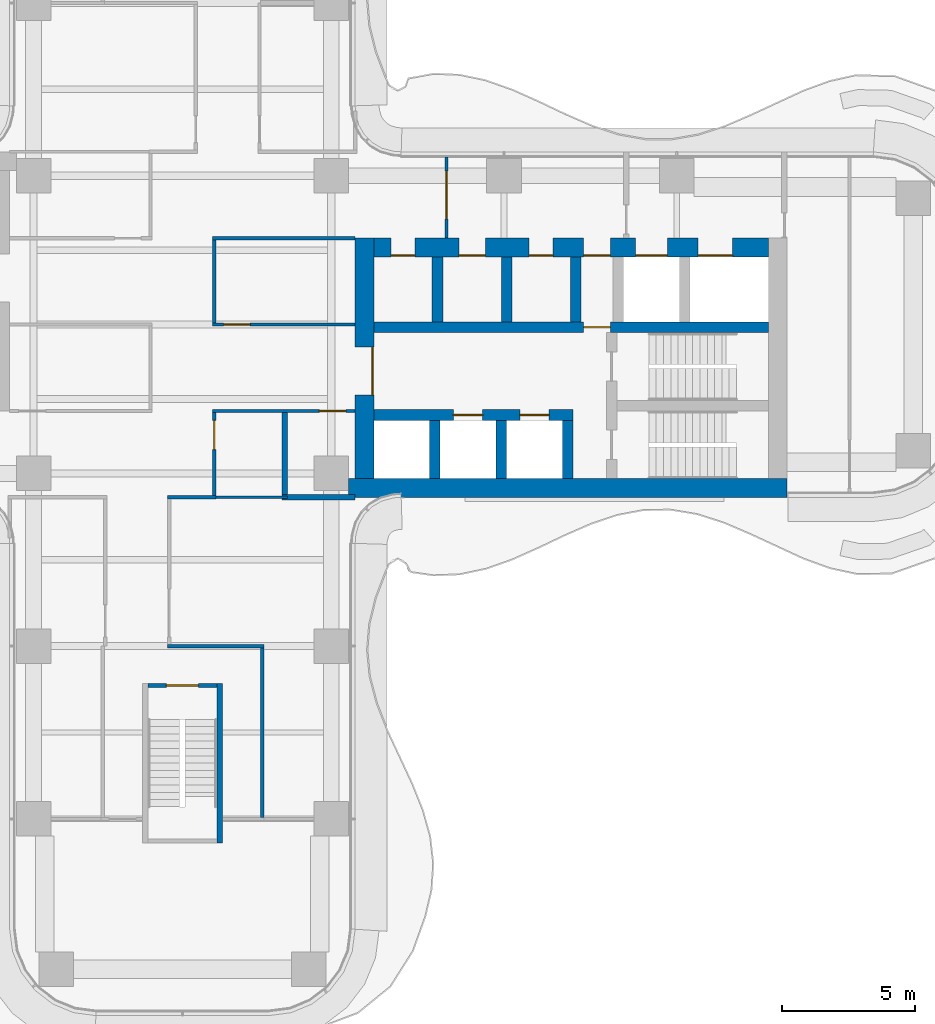
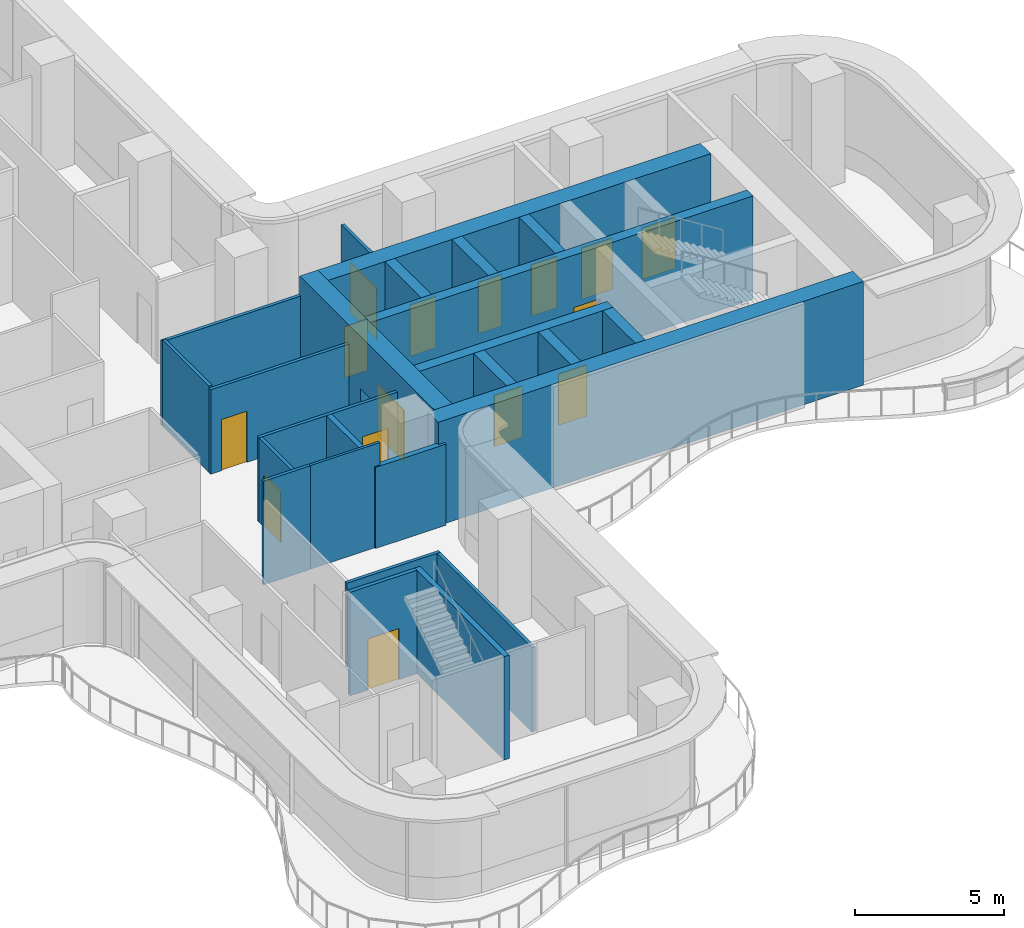
# One storey, part 16 of 20: 25 walls, 15 doors, 15 openings.
"""IFC4 building model written with IfcOpenShell, lengths in metres."""

from ifc_helpers import new_model, si_unit, direction, frame, frame_2d, origin, place, context, subcontext, project, spatial, rectangle, extrude, source, transform, mapped, material, layer, layer_set, type_object, element, fill, save


model = new_model("IFC4")

# Units and contexts
model_context = context("Model", 3, precision=1e-05, world=origin(), true_north=direction((0.0, 1.0)))
body_context = subcontext(model_context, "Body", "Model", "MODEL_VIEW")
ifc_project = project(units=[si_unit("LENGTHUNIT", "METRE"), si_unit("AREAUNIT", "SQUARE_METRE"), si_unit("VOLUMEUNIT", "CUBIC_METRE"), si_unit("PLANEANGLEUNIT", "RADIAN"), si_unit("MASSUNIT", "GRAM", prefix="KILO")], contexts=[model_context])

# Site, building, storey
site_placement = place(None, origin())
site = spatial("IfcSite", under=ifc_project, at=site_placement, CompositionType="ELEMENT")
building_placement = place(site_placement, origin())
building = spatial("IfcBuilding", under=site, at=building_placement, Name="Trellis Farm Tower", CompositionType="ELEMENT")
storey_placement = place(building_placement, frame((0.0, 0.0, 133.5)))
storey = spatial("IfcBuildingStorey", under=building, at=storey_placement, Name="L28", CompositionType="ELEMENT", Elevation=133.5)

# Wall, opening, door
ifc_material_1 = material(Name="Concrete C70/85", Category="concrete")
ifc_layer_1 = layer(ifc_material_1, 0.699951171875)
ifc_layer_set_1 = layer_set([ifc_layer_1], Name="CORE OUTER WALL 700 CONCRETE C70/85")
wall_type_1 = type_object("IfcWallType", Name="CORE OUTER WALL 700 CONCRETE C70/85", PredefinedType="SHEAR", material=ifc_layer_set_1)
shared_shape_1 = source(origin(), body_context, "Body", "SweptSolid", [
    extrude(rectangle(XDim=9.050048828125, YDim=0.699951171875, at=frame_2d((4.52490234375, 0.0))), origin(), (0.0, 0.0, 1.0), 4.25),
])
wall_1_placement = place(storey_placement, frame((6.85009765625, -5.800048828125, 0.0), z_axis=(0.0, 0.0, 1.0), x_axis=(0.0, 1.0, 0.0)))
wall_1 = element("IfcWall", 1, at=wall_1_placement, inside=storey, type_object=wall_type_1, Name="Core wall", PredefinedType="SHEAR", context=body_context, shape_type="MappedRepresentation", body=[
    mapped(shared_shape_1, transform((0.0, 0.0, 0.0))),
])
shared_shape_2 = source(origin(), body_context, "Body", "SweptSolid", [
    extrude(rectangle(XDim=1.800048828125, YDim=2.10009765625, at=frame_2d((0.89990234375, 1.050048828125))), frame((0.0, 0.360107421875, 0.0), z_axis=(0.0, -1.0, 0.0), x_axis=(1.0, 0.0, 0.0)), (0.0, 0.0, 1.0), 0.72021484375),
])
opening_1_placement = place(wall_1_placement, frame((3.14990234375, 0.0, 0.0)))
opening_1 = element("IfcOpeningElement", 2, at=opening_1_placement, cuts=wall_1, Name="Opening DC1", PredefinedType="OPENING", context=body_context, shape_type="MappedRepresentation", body=[
    mapped(shared_shape_2, transform((0.0, 0.0, 0.0))),
])
ifc_material_2 = material(Name="Steel", Category="steel")
door_type_1 = type_object("IfcDoorType", Name="CORE FIRE DOOR DOUBLE 1800 X 2100", OperationType="DOUBLE_DOOR_SINGLE_SWING", PredefinedType="DOOR", material=ifc_material_2)
shared_shape_3 = source(origin(), body_context, "Body", "SweptSolid", [
    extrude(rectangle(XDim=1.800048828125, YDim=2.10009765625, at=frame_2d((0.89990234375, 1.050048828125))), frame((0.0, -0.27490234375, 0.0), z_axis=(0.0, -1.0, 0.0), x_axis=(1.0, 0.0, 0.0)), (0.0, 0.0, 1.0), 0.050048828125),
])
door_1_placement = place(opening_1_placement, origin())
door_1 = element("IfcDoor", 3, at=door_1_placement, inside=storey, type_object=door_type_1, Name="Core door", OperationType="DOUBLE_DOOR_SINGLE_SWING", OverallHeight=2.10009765625, OverallWidth=1.800048828125, PredefinedType="DOOR", context=body_context, shape_type="MappedRepresentation", body=[
    mapped(shared_shape_3, transform((0.0, 0.0, 0.0))),
])
fill(opening_1, door_1)

# Walls
ifc_layer_2 = layer(ifc_material_1, 0.39990234375)
ifc_layer_set_2 = layer_set([ifc_layer_2], Name="CORE INNER WALL 400 CONCRETE C70/85")
wall_type_2 = type_object("IfcWallType", Name="CORE INNER WALL 400 CONCRETE C70/85", PredefinedType="SHEAR", material=ifc_layer_set_2)
shared_shape_4 = source(origin(), body_context, "Body", "SweptSolid", [
    extrude(rectangle(XDim=2.199951171875, YDim=0.39990234375, at=frame_2d((1.10009765625, 0.0))), origin(), (0.0, 0.0, 1.0), 4.25),
])
for number, where, z_axis, x_axis, name in (
    (4, (9.5, -5.800048828125, 0.0), (0.0, 0.0, 1.0), (0.0, 1.0, 0.0), "Core wall"),
    (5, (12.0, -5.800048828125, 0.0), (0.0, 0.0, 1.0), (0.0, 1.0, 0.0), "Core wall"),
    (6, (14.5, -5.800048828125, 0.0), (0.0, 0.0, 1.0), (0.0, 1.0, 0.0), "Core wall"),
):
    element("IfcWall", number, at=place(storey_placement, frame(where, z_axis=z_axis, x_axis=x_axis)), inside=storey, type_object=wall_type_2, Name=name, PredefinedType="SHEAR", context=body_context, shape_type="MappedRepresentation", body=[
        mapped(shared_shape_4, transform((0.0, 0.0, 0.0))),
    ])
shared_shape_5 = source(origin(), body_context, "Body", "SweptSolid", [
    extrude(rectangle(XDim=2.449951171875, YDim=0.39990234375, at=frame_2d((1.22509765625, 0.0))), origin(), (0.0, 0.0, 1.0), 4.25),
])
for number, where, z_axis, x_axis, name in (
    (7, (9.60009765625, 0.10009765625, 0.0), (0.0, 0.0, 1.0), (0.0, 1.0, 0.0), "Core wall"),
    (8, (12.199951171875, 0.10009765625, 0.0), (0.0, 0.0, 1.0), (0.0, 1.0, 0.0), "Core wall"),
    (9, (14.800048828125, 0.10009765625, 0.0), (0.0, 0.0, 1.0), (0.0, 1.0, 0.0), "Core wall"),
):
    element("IfcWall", number, at=place(storey_placement, frame(where, z_axis=z_axis, x_axis=x_axis)), inside=storey, type_object=wall_type_2, Name=name, PredefinedType="SHEAR", context=body_context, shape_type="MappedRepresentation", body=[
        mapped(shared_shape_5, transform((0.0, 0.0, 0.0))),
    ])

# Wall, openings, doors
shared_shape_6 = source(origin(), body_context, "Body", "SweptSolid", [
    extrude(rectangle(XDim=14.85009765625, YDim=0.699951171875, at=frame_2d((7.425048828125, 0.0))), origin(), (0.0, 0.0, 1.0), 4.25),
])
wall_2_placement = place(storey_placement, frame((7.199951171875, 2.89990234375, 0.0), z_axis=(0.0, 0.0, 1.0), x_axis=(1.0, 0.0, 0.0)))
wall_2 = element("IfcWall", 10, at=wall_2_placement, inside=storey, type_object=wall_type_1, Name="Core wall", PredefinedType="SHEAR", context=body_context, shape_type="MappedRepresentation", body=[
    mapped(shared_shape_6, transform((0.0, 0.0, 0.0))),
])
shared_shape_7 = source(origin(), body_context, "Body", "SweptSolid", [
    extrude(rectangle(XDim=1.300048828125, YDim=2.10009765625, at=frame_2d((0.64990234375, 1.050048828125))), frame((0.0, 0.360107421875, 0.0), z_axis=(0.0, -1.0, 0.0), x_axis=(1.0, 0.0, 0.0)), (0.0, 0.0, 1.0), 0.72021484375),
])
opening_2_placement = place(wall_2_placement, frame((12.199951171875, 0.0, 0.0)))
opening_2 = element("IfcOpeningElement", 11, at=opening_2_placement, cuts=wall_2, Name="Opening LD7", PredefinedType="OPENING", context=body_context, shape_type="MappedRepresentation", body=[
    mapped(shared_shape_7, transform((0.0, 0.0, 0.0))),
])
shared_shape_8 = source(origin(), body_context, "Body", "SweptSolid", [
    extrude(rectangle(XDim=1.199951171875, YDim=2.10009765625, at=frame_2d((0.60009765625, 1.050048828125))), frame((0.0, 0.360107421875, 0.0), z_axis=(0.0, -1.0, 0.0), x_axis=(1.0, 0.0, 0.0)), (0.0, 0.0, 1.0), 0.72021484375),
])
opening_3_placement = place(wall_2_placement, frame((9.85009765625, 0.0, 0.0)))
opening_3 = element("IfcOpeningElement", 12, at=opening_3_placement, cuts=wall_2, Name="Opening LD8", PredefinedType="OPENING", context=body_context, shape_type="MappedRepresentation", body=[
    mapped(shared_shape_8, transform((0.0, 0.0, 0.0))),
])
shared_shape_9 = source(origin(), body_context, "Body", "SweptSolid", [
    extrude(rectangle(XDim=1.0, YDim=2.10009765625, at=frame_2d((0.5, 1.050048828125))), frame((0.0, 0.360107421875, 0.0), z_axis=(0.0, -1.0, 0.0), x_axis=(1.0, 0.0, 0.0)), (0.0, 0.0, 1.0), 0.72021484375),
])
opening_4_placement = place(wall_2_placement, frame((7.89990234375, 0.0, 0.0)))
opening_4 = element("IfcOpeningElement", 13, at=opening_4_placement, cuts=wall_2, Name="Opening DC6", PredefinedType="OPENING", context=body_context, shape_type="MappedRepresentation", body=[
    mapped(shared_shape_9, transform((0.0, 0.0, 0.0))),
])
shared_shape_10 = source(origin(), body_context, "Body", "SweptSolid", [
    extrude(rectangle(XDim=0.89990234375, YDim=2.10009765625, at=frame_2d((0.449951171875, 1.050048828125))), frame((0.0, 0.360107421875, 0.0), z_axis=(0.0, -1.0, 0.0), x_axis=(1.0, 0.0, 0.0)), (0.0, 0.0, 1.0), 0.72021484375),
])
opening_5_placement = place(wall_2_placement, frame((0.64990234375, 0.0, 0.0)))
opening_5 = element("IfcOpeningElement", 14, at=opening_5_placement, cuts=wall_2, Name="Opening DC11", PredefinedType="OPENING", context=body_context, shape_type="MappedRepresentation", body=[
    mapped(shared_shape_10, transform((0.0, 0.0, 0.0))),
])
opening_6_placement = place(wall_2_placement, frame((3.199951171875, 0.0, 0.0)))
opening_6 = element("IfcOpeningElement", 15, at=opening_6_placement, cuts=wall_2, Name="Opening DC26", PredefinedType="OPENING", context=body_context, shape_type="MappedRepresentation", body=[
    mapped(shared_shape_9, transform((0.0, 0.0, 0.0))),
])
opening_7_placement = place(wall_2_placement, frame((5.85009765625, 0.0, 0.0)))
opening_7 = element("IfcOpeningElement", 16, at=opening_7_placement, cuts=wall_2, Name="Opening DC35", PredefinedType="OPENING", context=body_context, shape_type="MappedRepresentation", body=[
    mapped(shared_shape_10, transform((0.0, 0.0, 0.0))),
])
door_type_2 = type_object("IfcDoorType", Name="CORE FIRE DOOR 1000 X 2100", OperationType="NOTDEFINED", PredefinedType="DOOR", material=ifc_material_2)
shared_shape_11 = source(origin(), body_context, "Body", "SweptSolid", [
    extrude(rectangle(XDim=1.0, YDim=2.10009765625, at=frame_2d((0.5, 1.050048828125))), frame((0.0, -0.27490234375, 0.0), z_axis=(0.0, -1.0, 0.0), x_axis=(1.0, 0.0, 0.0)), (0.0, 0.0, 1.0), 0.050048828125),
])
door_2_placement = place(opening_4_placement, origin())
door_2 = element("IfcDoor", 17, at=door_2_placement, inside=storey, type_object=door_type_2, Name="Core door", OperationType="SINGLE_SWING_LEFT", OverallHeight=2.10009765625, OverallWidth=1.0, PredefinedType="DOOR", context=body_context, shape_type="MappedRepresentation", body=[
    mapped(shared_shape_11, transform((0.0, 0.0, 0.0))),
])
fill(opening_4, door_2)
door_3_placement = place(opening_6_placement, origin())
door_3 = element("IfcDoor", 18, at=door_3_placement, inside=storey, type_object=door_type_2, Name="Core door", OperationType="SINGLE_SWING_RIGHT", OverallHeight=2.10009765625, OverallWidth=1.0, PredefinedType="DOOR", context=body_context, shape_type="MappedRepresentation", body=[
    mapped(shared_shape_11, transform((0.0, 0.0, 0.0))),
])
fill(opening_6, door_3)
door_type_3 = type_object("IfcDoorType", Name="CORE FIRE DOOR 900 X 2100", OperationType="NOTDEFINED", PredefinedType="DOOR", material=ifc_material_2)
shared_shape_12 = source(origin(), body_context, "Body", "SweptSolid", [
    extrude(rectangle(XDim=0.89990234375, YDim=2.10009765625, at=frame_2d((0.449951171875, 1.050048828125))), frame((0.0, -0.27490234375, 0.0), z_axis=(0.0, -1.0, 0.0), x_axis=(1.0, 0.0, 0.0)), (0.0, 0.0, 1.0), 0.050048828125),
])
door_4_placement = place(opening_5_placement, origin())
door_4 = element("IfcDoor", 19, at=door_4_placement, inside=storey, type_object=door_type_3, Name="Core door", OperationType="SINGLE_SWING_LEFT", OverallHeight=2.10009765625, OverallWidth=0.89990234375, PredefinedType="DOOR", context=body_context, shape_type="MappedRepresentation", body=[
    mapped(shared_shape_12, transform((0.0, 0.0, 0.0))),
])
fill(opening_5, door_4)
door_5_placement = place(opening_7_placement, origin())
door_5 = element("IfcDoor", 20, at=door_5_placement, inside=storey, type_object=door_type_3, Name="Core door", OperationType="SINGLE_SWING_LEFT", OverallHeight=2.10009765625, OverallWidth=0.89990234375, PredefinedType="DOOR", context=body_context, shape_type="MappedRepresentation", body=[
    mapped(shared_shape_12, transform((0.0, 0.0, 0.0))),
])
fill(opening_7, door_5)
ifc_material_3 = material(Name="Stainless steel", Category="steel")
door_type_4 = type_object("IfcDoorType", Name="LIFT LANDING DOOR 1300 X 2100", OperationType="DOUBLE_DOOR_SLIDING", PredefinedType="DOOR", material=ifc_material_3)
shared_shape_13 = source(origin(), body_context, "Body", "SweptSolid", [
    extrude(rectangle(XDim=1.300048828125, YDim=2.10009765625, at=frame_2d((0.64990234375, 1.050048828125))), frame((0.0, -0.27490234375, 0.0), z_axis=(0.0, -1.0, 0.0), x_axis=(1.0, 0.0, 0.0)), (0.0, 0.0, 1.0), 0.050048828125),
])
door_6_placement = place(opening_2_placement, origin())
door_6 = element("IfcDoor", 21, at=door_6_placement, inside=storey, type_object=door_type_4, Name="Lift landing door", OperationType="DOUBLE_DOOR_SLIDING", OverallHeight=2.10009765625, OverallWidth=1.300048828125, PredefinedType="DOOR", context=body_context, shape_type="MappedRepresentation", body=[
    mapped(shared_shape_13, transform((0.0, 0.0, 0.0))),
])
fill(opening_2, door_6)
door_type_5 = type_object("IfcDoorType", Name="LIFT LANDING DOOR 1200 X 2100", OperationType="DOUBLE_DOOR_SLIDING", PredefinedType="DOOR", material=ifc_material_3)
shared_shape_14 = source(origin(), body_context, "Body", "SweptSolid", [
    extrude(rectangle(XDim=1.199951171875, YDim=2.10009765625, at=frame_2d((0.60009765625, 1.050048828125))), frame((0.0, -0.27490234375, 0.0), z_axis=(0.0, -1.0, 0.0), x_axis=(1.0, 0.0, 0.0)), (0.0, 0.0, 1.0), 0.050048828125),
])
door_7_placement = place(opening_3_placement, origin())
door_7 = element("IfcDoor", 22, at=door_7_placement, inside=storey, type_object=door_type_5, Name="Lift landing door", OperationType="DOUBLE_DOOR_SLIDING", OverallHeight=2.10009765625, OverallWidth=1.199951171875, PredefinedType="DOOR", context=body_context, shape_type="MappedRepresentation", body=[
    mapped(shared_shape_14, transform((0.0, 0.0, 0.0))),
])
fill(opening_3, door_7)

shared_shape_15 = source(origin(), body_context, "Body", "SweptSolid", [
    extrude(rectangle(XDim=7.5, YDim=0.39990234375, at=frame_2d((3.75, 0.0))), origin(), (0.0, 0.0, 1.0), 4.25),
])
wall_3_placement = place(storey_placement, frame((7.199951171875, -3.39990234375, 0.0), z_axis=(0.0, 0.0, 1.0), x_axis=(1.0, 0.0, 0.0)))
wall_3 = element("IfcWall", 23, at=wall_3_placement, inside=storey, type_object=wall_type_2, Name="Core wall", PredefinedType="SHEAR", context=body_context, shape_type="MappedRepresentation", body=[
    mapped(shared_shape_15, transform((0.0, 0.0, 0.0))),
])
shared_shape_16 = source(origin(), body_context, "Body", "SweptSolid", [
    extrude(rectangle(XDim=1.10009765625, YDim=2.10009765625, at=frame_2d((0.550048828125, 1.050048828125))), frame((0.0, 0.2099609375, 0.0), z_axis=(0.0, -1.0, 0.0), x_axis=(1.0, 0.0, 0.0)), (0.0, 0.0, 1.0), 0.419921875),
])
opening_8_placement = place(wall_3_placement, frame((3.0, 0.0, 0.0)))
opening_8 = element("IfcOpeningElement", 24, at=opening_8_placement, cuts=wall_3, Name="Opening LD2", PredefinedType="OPENING", context=body_context, shape_type="MappedRepresentation", body=[
    mapped(shared_shape_16, transform((0.0, 0.0, 0.0))),
])
opening_9_placement = place(wall_3_placement, frame((5.5, 0.0, 0.0)))
opening_9 = element("IfcOpeningElement", 25, at=opening_9_placement, cuts=wall_3, Name="Opening LD3", PredefinedType="OPENING", context=body_context, shape_type="MappedRepresentation", body=[
    mapped(shared_shape_16, transform((0.0, 0.0, 0.0))),
])
door_type_6 = type_object("IfcDoorType", Name="LIFT LANDING DOOR 1100 X 2100", OperationType="DOUBLE_DOOR_SLIDING", PredefinedType="DOOR", material=ifc_material_3)
shared_shape_17 = source(origin(), body_context, "Body", "SweptSolid", [
    extrude(rectangle(XDim=1.10009765625, YDim=2.10009765625, at=frame_2d((0.550048828125, 1.050048828125))), frame((0.0, 0.02490234375, 0.0), z_axis=(0.0, -1.0, 0.0), x_axis=(1.0, 0.0, 0.0)), (0.0, 0.0, 1.0), 0.050048828125),
])
door_8_placement = place(opening_8_placement, origin())
door_8 = element("IfcDoor", 26, at=door_8_placement, inside=storey, type_object=door_type_6, Name="Lift landing door", OperationType="DOUBLE_DOOR_SLIDING", OverallHeight=2.10009765625, OverallWidth=1.10009765625, PredefinedType="DOOR", context=body_context, shape_type="MappedRepresentation", body=[
    mapped(shared_shape_17, transform((0.0, 0.0, 0.0))),
])
fill(opening_8, door_8)
door_9_placement = place(opening_9_placement, origin())
door_9 = element("IfcDoor", 27, at=door_9_placement, inside=storey, type_object=door_type_6, Name="Lift landing door", OperationType="DOUBLE_DOOR_SLIDING", OverallHeight=2.10009765625, OverallWidth=1.10009765625, PredefinedType="DOOR", context=body_context, shape_type="MappedRepresentation", body=[
    mapped(shared_shape_17, transform((0.0, 0.0, 0.0))),
])
fill(opening_9, door_9)

# Wall, opening, door
shared_shape_18 = source(origin(), body_context, "Body", "SweptSolid", [
    extrude(rectangle(XDim=14.85009765625, YDim=0.39990234375, at=frame_2d((7.425048828125, 0.0))), origin(), (0.0, 0.0, 1.0), 4.25),
])
wall_4_placement = place(storey_placement, frame((7.199951171875, -0.10009765625, 0.0), z_axis=(0.0, 0.0, 1.0), x_axis=(1.0, 0.0, 0.0)))
wall_4 = element("IfcWall", 28, at=wall_4_placement, inside=storey, type_object=wall_type_2, Name="Core wall", PredefinedType="SHEAR", context=body_context, shape_type="MappedRepresentation", body=[
    mapped(shared_shape_18, transform((0.0, 0.0, 0.0))),
])
shared_shape_19 = source(origin(), body_context, "Body", "SweptSolid", [
    extrude(rectangle(XDim=1.0, YDim=2.10009765625, at=frame_2d((0.5, 1.050048828125))), frame((0.0, 0.2099609375, 0.0), z_axis=(0.0, -1.0, 0.0), x_axis=(1.0, 0.0, 0.0)), (0.0, 0.0, 1.0), 0.419921875),
])
opening_10_placement = place(wall_4_placement, frame((7.89990234375, 0.0, 0.0)))
opening_10 = element("IfcOpeningElement", 29, at=opening_10_placement, cuts=wall_4, Name="Opening DC5", PredefinedType="OPENING", context=body_context, shape_type="MappedRepresentation", body=[
    mapped(shared_shape_19, transform((0.0, 0.0, 0.0))),
])
shared_shape_20 = source(origin(), body_context, "Body", "SweptSolid", [
    extrude(rectangle(XDim=1.0, YDim=2.10009765625, at=frame_2d((0.5, 1.050048828125))), frame((0.0, 0.02490234375, 0.0), z_axis=(0.0, -1.0, 0.0), x_axis=(1.0, 0.0, 0.0)), (0.0, 0.0, 1.0), 0.050048828125),
])
door_10_placement = place(opening_10_placement, origin())
door_10 = element("IfcDoor", 30, at=door_10_placement, inside=storey, type_object=door_type_2, Name="Core door", OperationType="SINGLE_SWING_RIGHT", OverallHeight=2.10009765625, OverallWidth=1.0, PredefinedType="DOOR", context=body_context, shape_type="MappedRepresentation", body=[
    mapped(shared_shape_20, transform((0.0, 0.0, 0.0))),
])
fill(opening_10, door_10)

# Walls
shared_shape_21 = source(origin(), body_context, "Body", "SweptSolid", [
    extrude(rectangle(XDim=16.5, YDim=0.699951171875, at=frame_2d((8.25, 0.0))), origin(), (0.0, 0.0, 1.0), 4.25),
])
wall_5_placement = place(storey_placement, frame((6.25, -6.14990234375, 0.0), z_axis=(0.0, 0.0, 1.0), x_axis=(1.0, 0.0, 0.0)))
element("IfcWall", 31, at=wall_5_placement, inside=storey, type_object=wall_type_1, Name="Core wall", PredefinedType="SHEAR", context=body_context, shape_type="MappedRepresentation", body=[
    mapped(shared_shape_21, transform((0.0, 0.0, 0.0))),
])
ifc_layer_3 = layer(ifc_material_1, 0.199951171875)
ifc_layer_set_3 = layer_set([ifc_layer_3], Name="CORE STAIR ENCLOSURE WALL 200 CONCRETE C70/85")
wall_type_3 = type_object("IfcWallType", Name="CORE STAIR ENCLOSURE WALL 200 CONCRETE C70/85", PredefinedType="SHEAR", material=ifc_layer_set_3)
shared_shape_22 = source(origin(), body_context, "Body", "SweptSolid", [
    extrude(rectangle(XDim=6.0, YDim=0.199951171875, at=frame_2d((3.0, 0.0))), origin(), (0.0, 0.0, 1.0), 4.25),
])
wall_6_placement = place(storey_placement, frame((1.39990234375, -13.5, 0.0), z_axis=(0.0, 0.0, 1.0), x_axis=(0.0, -1.0, 0.0)))
element("IfcWall", 32, at=wall_6_placement, inside=storey, type_object=wall_type_3, Name="Stair enclosure wall", PredefinedType="SHEAR", context=body_context, shape_type="MappedRepresentation", body=[
    mapped(shared_shape_22, transform((0.0, 0.0, 0.0))),
])

# Wall, opening, door
ifc_layer_4 = layer(ifc_material_1, 0.14990234375)
ifc_layer_set_4 = layer_set([ifc_layer_4], Name="CORE STAIR ENCLOSURE WALL 150 CONCRETE C70/85")
wall_type_4 = type_object("IfcWallType", Name="CORE STAIR ENCLOSURE WALL 150 CONCRETE C70/85", PredefinedType="SHEAR", material=ifc_layer_set_4)
shared_shape_23 = source(origin(), body_context, "Body", "SweptSolid", [
    extrude(rectangle(XDim=2.60009765625, YDim=0.14990234375, at=frame_2d((1.300048828125, 0.0))), origin(), (0.0, 0.0, 1.0), 4.25),
])
wall_7_placement = place(storey_placement, frame((1.300048828125, -13.574951171875, 0.0), z_axis=(0.0, 0.0, 1.0), x_axis=(-1.0, 0.0, 0.0)))
wall_7 = element("IfcWall", 33, at=wall_7_placement, inside=storey, type_object=wall_type_4, Name="Stair enclosure wall", PredefinedType="SHEAR", context=body_context, shape_type="MappedRepresentation", body=[
    mapped(shared_shape_23, transform((0.0, 0.0, 0.0))),
])
shared_shape_24 = source(origin(), body_context, "Body", "SweptSolid", [
    extrude(rectangle(XDim=1.199951171875, YDim=2.10009765625, at=frame_2d((0.60009765625, 1.050048828125))), frame((0.0, 0.0849609375, 0.0), z_axis=(0.0, -1.0, 0.0), x_axis=(1.0, 0.0, 0.0)), (0.0, 0.0, 1.0), 0.169921875),
])
opening_11_placement = place(wall_7_placement, frame((0.699951171875, 0.0, 0.0)))
opening_11 = element("IfcOpeningElement", 34, at=opening_11_placement, cuts=wall_7, Name="Opening DC174", PredefinedType="OPENING", context=body_context, shape_type="MappedRepresentation", body=[
    mapped(shared_shape_24, transform((0.0, 0.0, 0.0))),
])
door_type_7 = type_object("IfcDoorType", Name="CORE FIRE DOOR 1200 X 2100", OperationType="NOTDEFINED", PredefinedType="DOOR", material=ifc_material_2)
shared_shape_25 = source(origin(), body_context, "Body", "SweptSolid", [
    extrude(rectangle(XDim=1.199951171875, YDim=2.10009765625, at=frame_2d((0.60009765625, 1.050048828125))), frame((0.0, 0.02490234375, 0.0), z_axis=(0.0, -1.0, 0.0), x_axis=(1.0, 0.0, 0.0)), (0.0, 0.0, 1.0), 0.050048828125),
])
door_11_placement = place(opening_11_placement, origin())
door_11 = element("IfcDoor", 35, at=door_11_placement, inside=storey, type_object=door_type_7, Name="Core door", OperationType="SINGLE_SWING_RIGHT", OverallHeight=2.10009765625, OverallWidth=1.199951171875, PredefinedType="DOOR", context=body_context, shape_type="MappedRepresentation", body=[
    mapped(shared_shape_25, transform((0.0, 0.0, 0.0))),
])
fill(opening_11, door_11)

# Wall
ifc_material_4 = material(Name="Plasterboard on steel studs, mineral wool", Category="steel")
ifc_layer_5 = layer(ifc_material_4, 0.125)
ifc_layer_set_5 = layer_set([ifc_layer_5], Name="PARTITION 125 STUD EI 60")
wall_type_5 = type_object("IfcWallType", Name="PARTITION 125 STUD EI 60", PredefinedType="PARTITIONING", material=ifc_layer_set_5)
shared_shape_26 = source(origin(), body_context, "Body", "SweptSolid", [
    extrude(rectangle(XDim=3.125, YDim=0.125, at=frame_2d((1.5625, 0.0))), origin(), (0.0, 0.0, 1.0), 3.54638671875),
])
wall_8_placement = place(storey_placement, frame((1.199951171875, 3.1875, 0.0), z_axis=(0.0, 0.0, 1.0), x_axis=(0.0, -1.0, 0.0)))
element("IfcWall", 36, at=wall_8_placement, inside=storey, type_object=wall_type_5, Name="Partition PW1", PredefinedType="PARTITIONING", context=body_context, shape_type="MappedRepresentation", body=[
    mapped(shared_shape_26, transform((0.0, 0.0, 0.0))),
])

# Wall, opening, door
shared_shape_27 = source(origin(), body_context, "Body", "SweptSolid", [
    extrude(rectangle(XDim=5.362548828125, YDim=0.125, at=frame_2d((2.68115234375, 0.0))), origin(), (0.0, 0.0, 1.0), 3.4677734375),
])
wall_9_placement = place(storey_placement, frame((6.5, -3.25, 0.0), z_axis=(0.0, 0.0, 1.0), x_axis=(-1.0, 0.0, 0.0)))
wall_9 = element("IfcWall", 37, at=wall_9_placement, inside=storey, type_object=wall_type_5, Name="Partition PW1", PredefinedType="PARTITIONING", context=body_context, shape_type="MappedRepresentation", body=[
    mapped(shared_shape_27, transform((0.0, 0.0, 0.0))),
])
shared_shape_28 = source(origin(), body_context, "Body", "SweptSolid", [
    extrude(rectangle(XDim=1.0, YDim=2.10009765625, at=frame_2d((0.5, 1.050048828125))), frame((0.0, 0.072509765625, 0.0), z_axis=(0.0, -1.0, 0.0), x_axis=(1.0, 0.0, 0.0)), (0.0, 0.0, 1.0), 0.14501953125),
])
opening_12_placement = place(wall_9_placement, frame((0.35009765625, 0.0, 0.0)))
opening_12 = element("IfcOpeningElement", 38, at=opening_12_placement, cuts=wall_9, Name="Opening D301", PredefinedType="OPENING", context=body_context, shape_type="MappedRepresentation", body=[
    mapped(shared_shape_28, transform((0.0, 0.0, 0.0))),
])
ifc_material_5 = material(Name="Fire-rated timber door leaf in a hollow metal frame", Category="wood")
door_type_8 = type_object("IfcDoorType", Name="DOOR 1000x2100 FD60", OperationType="NOTDEFINED", PredefinedType="DOOR", material=ifc_material_5)
door_12_placement = place(opening_12_placement, origin())
door_12 = element("IfcDoor", 39, at=door_12_placement, inside=storey, type_object=door_type_8, Name="Door D301", OperationType="SINGLE_SWING_LEFT", OverallHeight=2.10009765625, OverallWidth=1.0, PredefinedType="DOOR", context=body_context, shape_type="MappedRepresentation", body=[
    mapped(shared_shape_20, transform((0.0, 0.0, 0.0))),
])
fill(opening_12, door_12)

wall_10_placement = place(storey_placement, frame((6.5, 0.0, 0.0), z_axis=(0.0, 0.0, 1.0), x_axis=(-1.0, 0.0, 0.0)))
wall_10 = element("IfcWall", 40, at=wall_10_placement, inside=storey, type_object=wall_type_5, Name="Partition PW1", PredefinedType="PARTITIONING", context=body_context, shape_type="MappedRepresentation", body=[
    mapped(shared_shape_27, transform((0.0, 0.0, 0.0))),
])
opening_13_placement = place(wall_10_placement, frame((3.949951171875, 0.0, 0.0)))
opening_13 = element("IfcOpeningElement", 41, at=opening_13_placement, cuts=wall_10, Name="Opening D104", PredefinedType="OPENING", context=body_context, shape_type="MappedRepresentation", body=[
    mapped(shared_shape_28, transform((0.0, 0.0, 0.0))),
])
door_type_9 = type_object("IfcDoorType", Name="DOOR 1000x2100 FD30S", OperationType="NOTDEFINED", PredefinedType="DOOR", material=ifc_material_5)
door_13_placement = place(opening_13_placement, origin())
door_13 = element("IfcDoor", 42, at=door_13_placement, inside=storey, type_object=door_type_9, Name="Door D104", OperationType="SINGLE_SWING_RIGHT", OverallHeight=2.10009765625, OverallWidth=1.0, PredefinedType="DOOR", context=body_context, shape_type="MappedRepresentation", body=[
    mapped(shared_shape_20, transform((0.0, 0.0, 0.0))),
])
fill(opening_13, door_13)

# Wall
wall_11_placement = place(storey_placement, frame((1.137451171875, 3.25, 0.0), z_axis=(0.0, 0.0, 1.0), x_axis=(1.0, 0.0, 0.0)))
element("IfcWall", 43, at=wall_11_placement, inside=storey, type_object=wall_type_5, Name="Partition PW1", PredefinedType="PARTITIONING", context=body_context, shape_type="MappedRepresentation", body=[
    mapped(shared_shape_27, transform((0.0, 0.0, 0.0))),
])

# Wall, opening, door
shared_shape_29 = source(origin(), body_context, "Body", "SweptSolid", [
    extrude(rectangle(XDim=3.137451171875, YDim=0.125, at=frame_2d((1.56884765625, 0.0))), origin(), (0.0, 0.0, 1.0), 3.4677734375),
])
wall_12_placement = place(storey_placement, frame((1.199951171875, -3.3125, 0.0), z_axis=(0.0, 0.0, 1.0), x_axis=(0.0, -1.0, 0.0)))
wall_12 = element("IfcWall", 44, at=wall_12_placement, inside=storey, type_object=wall_type_5, Name="Partition PW1", PredefinedType="PARTITIONING", context=body_context, shape_type="MappedRepresentation", body=[
    mapped(shared_shape_29, transform((0.0, 0.0, 0.0))),
])
shared_shape_30 = source(origin(), body_context, "Body", "SweptSolid", [
    extrude(rectangle(XDim=1.10009765625, YDim=2.10009765625, at=frame_2d((0.550048828125, 1.050048828125))), frame((0.0, 0.072509765625, 0.0), z_axis=(0.0, -1.0, 0.0), x_axis=(1.0, 0.0, 0.0)), (0.0, 0.0, 1.0), 0.14501953125),
])
opening_14_placement = place(wall_12_placement, frame((0.28759765625, 0.0, 0.0)))
opening_14 = element("IfcOpeningElement", 45, at=opening_14_placement, cuts=wall_12, Name="Opening D501", PredefinedType="OPENING", context=body_context, shape_type="MappedRepresentation", body=[
    mapped(shared_shape_30, transform((0.0, 0.0, 0.0))),
])
door_type_10 = type_object("IfcDoorType", Name="DOOR 1100x2100 FD30S", OperationType="NOTDEFINED", PredefinedType="DOOR", material=ifc_material_5)
door_14_placement = place(opening_14_placement, origin())
door_14 = element("IfcDoor", 46, at=door_14_placement, inside=storey, type_object=door_type_10, Name="Door D501", OperationType="SINGLE_SWING_LEFT", OverallHeight=2.10009765625, OverallWidth=1.10009765625, PredefinedType="DOOR", context=body_context, shape_type="MappedRepresentation", body=[
    mapped(shared_shape_17, transform((0.0, 0.0, 0.0))),
])
fill(opening_14, door_14)

shared_shape_31 = source(origin(), body_context, "Body", "SweptSolid", [
    extrude(rectangle(XDim=3.050048828125, YDim=0.125, at=frame_2d((1.52490234375, 0.0))), origin(), (0.0, 0.0, 1.0), 3.330078125),
])
wall_13_placement = place(storey_placement, frame((9.93408203125, 3.25, 0.0), z_axis=(0.0, 0.0, 1.0), x_axis=(0.0, 1.0, 0.0)))
wall_13 = element("IfcWall", 47, at=wall_13_placement, inside=storey, type_object=wall_type_5, Name="Partition PW1", PredefinedType="PARTITIONING", context=body_context, shape_type="MappedRepresentation", body=[
    mapped(shared_shape_31, transform((0.0, 0.0, 0.0))),
])
shared_shape_32 = source(origin(), body_context, "Body", "SweptSolid", [
    extrude(rectangle(XDim=1.800048828125, YDim=2.10009765625, at=frame_2d((0.89990234375, 1.050048828125))), frame((0.0, 0.072509765625, 0.0), z_axis=(0.0, -1.0, 0.0), x_axis=(1.0, 0.0, 0.0)), (0.0, 0.0, 1.0), 0.14501953125),
])
opening_15_placement = place(wall_13_placement, frame((0.72509765625, 0.0, 0.0)))
opening_15 = element("IfcOpeningElement", 48, at=opening_15_placement, cuts=wall_13, Name="Opening D402", PredefinedType="OPENING", context=body_context, shape_type="MappedRepresentation", body=[
    mapped(shared_shape_32, transform((0.0, 0.0, 0.0))),
])
door_type_11 = type_object("IfcDoorType", Name="DOOR PAIR 1800x2100 FD60", OperationType="NOTDEFINED", PredefinedType="DOOR", material=ifc_material_5)
shared_shape_33 = source(origin(), body_context, "Body", "SweptSolid", [
    extrude(rectangle(XDim=1.800048828125, YDim=2.10009765625, at=frame_2d((0.89990234375, 1.050048828125))), frame((0.0, 0.02490234375, 0.0), z_axis=(0.0, -1.0, 0.0), x_axis=(1.0, 0.0, 0.0)), (0.0, 0.0, 1.0), 0.050048828125),
])
door_15_placement = place(opening_15_placement, origin())
door_15 = element("IfcDoor", 49, at=door_15_placement, inside=storey, type_object=door_type_11, Name="Door D402", OperationType="DOUBLE_DOOR_SINGLE_SWING", OverallHeight=2.10009765625, OverallWidth=1.800048828125, PredefinedType="DOOR", context=body_context, shape_type="MappedRepresentation", body=[
    mapped(shared_shape_33, transform((0.0, 0.0, 0.0))),
])
fill(opening_15, door_15)

# Walls
shared_shape_34 = source(origin(), body_context, "Body", "SweptSolid", [
    extrude(rectangle(XDim=6.387451171875, YDim=0.125, at=frame_2d((3.19384765625, 0.0))), origin(), (0.0, 0.0, 1.0), 3.4677734375),
])
wall_14_placement = place(storey_placement, frame((3.0, -12.16259765625, 0.0), z_axis=(0.0, 0.0, 1.0), x_axis=(0.0, -1.0, 0.0)))
element("IfcWall", 50, at=wall_14_placement, inside=storey, type_object=wall_type_5, Name="Partition PW1", PredefinedType="PARTITIONING", context=body_context, shape_type="MappedRepresentation", body=[
    mapped(shared_shape_34, transform((0.0, 0.0, 0.0))),
])
shared_shape_35 = source(origin(), body_context, "Body", "SweptSolid", [
    extrude(rectangle(XDim=1.824951171875, YDim=0.125, at=frame_2d((0.91259765625, 0.0))), origin(), (0.0, 0.0, 1.0), 4.25),
])
wall_15_placement = place(storey_placement, frame((1.262451171875, -6.5, 0.0), z_axis=(0.0, 0.0, 1.0), x_axis=(-1.0, 0.0, 0.0)))
element("IfcWall", 51, at=wall_15_placement, inside=storey, type_object=wall_type_5, Name="Partition PW1", PredefinedType="PARTITIONING", context=body_context, shape_type="MappedRepresentation", body=[
    mapped(shared_shape_35, transform((0.0, 0.0, 0.0))),
])
shared_shape_36 = source(origin(), body_context, "Body", "SweptSolid", [
    extrude(rectangle(XDim=3.625, YDim=0.125, at=frame_2d((1.8125, 0.0))), origin(), (0.0, 0.0, 1.0), 3.4677734375),
])
wall_16_placement = place(storey_placement, frame((-0.5625, -12.10009765625, 0.0), z_axis=(0.0, 0.0, 1.0), x_axis=(1.0, 0.0, 0.0)))
element("IfcWall", 52, at=wall_16_placement, inside=storey, type_object=wall_type_5, Name="Partition PW1", PredefinedType="PARTITIONING", context=body_context, shape_type="MappedRepresentation", body=[
    mapped(shared_shape_36, transform((0.0, 0.0, 0.0))),
])
ifc_material_6 = material(Name="Lightweight blockwork, plastered", Category="masonry")
ifc_layer_6 = layer(ifc_material_6, 0.199951171875)
ifc_layer_set_6 = layer_set([ifc_layer_6], Name="BLOCK WALL 200 EI 120")
wall_type_6 = type_object("IfcWallType", Name="BLOCK WALL 200 EI 120", PredefinedType="PARTITIONING", material=ifc_layer_set_6)
shared_shape_37 = source(origin(), body_context, "Body", "SweptSolid", [
    extrude(rectangle(XDim=3.08740234375, YDim=0.199951171875, at=frame_2d((1.543701171875, 0.0))), origin(), (0.0, 0.0, 1.0), 3.4677734375),
])
wall_17_placement = place(storey_placement, frame((3.85009765625, -6.39990234375, 0.0), z_axis=(0.0, 0.0, 1.0), x_axis=(0.0, 1.0, 0.0)))
element("IfcWall", 53, at=wall_17_placement, inside=storey, type_object=wall_type_6, Name="Partition PW3", PredefinedType="PARTITIONING", context=body_context, shape_type="MappedRepresentation", body=[
    mapped(shared_shape_37, transform((0.0, 0.0, 0.0))),
])
shared_shape_38 = source(origin(), body_context, "Body", "SweptSolid", [
    extrude(rectangle(XDim=2.75, YDim=0.199951171875, at=frame_2d((1.375, 0.0))), origin(), (0.0, 0.0, 1.0), 3.330078125),
])
wall_18_placement = place(storey_placement, frame((3.75, -6.5, 0.0), z_axis=(0.0, 0.0, 1.0), x_axis=(1.0, 0.0, 0.0)))
element("IfcWall", 54, at=wall_18_placement, inside=storey, type_object=wall_type_6, Name="Partition PW3", PredefinedType="PARTITIONING", context=body_context, shape_type="MappedRepresentation", body=[
    mapped(shared_shape_38, transform((0.0, 0.0, 0.0))),
])
ifc_material_7 = material(Name="Plasterboard on steel studs", Category="steel")
ifc_layer_7 = layer(ifc_material_7, 0.10009765625)
ifc_layer_set_7 = layer_set([ifc_layer_7], Name="PARTITION 100 STUD EI 30")
wall_type_7 = type_object("IfcWallType", Name="PARTITION 100 STUD EI 30", PredefinedType="PARTITIONING", material=ifc_layer_set_7)
shared_shape_39 = source(origin(), body_context, "Body", "SweptSolid", [
    extrude(rectangle(XDim=2.8125, YDim=0.10009765625, at=frame_2d((1.40625, 0.0))), origin(), (0.0, 0.0, 1.0), 4.25),
])
wall_19_placement = place(storey_placement, frame((1.137451171875, -6.5, 0.0), z_axis=(0.0, 0.0, 1.0), x_axis=(1.0, 0.0, 0.0)))
element("IfcWall", 55, at=wall_19_placement, inside=storey, type_object=wall_type_7, Name="Partition PW2", PredefinedType="PARTITIONING", context=body_context, shape_type="MappedRepresentation", body=[
    mapped(shared_shape_39, transform((0.0, 0.0, 0.0))),
])

save(model, "model.ifc")
